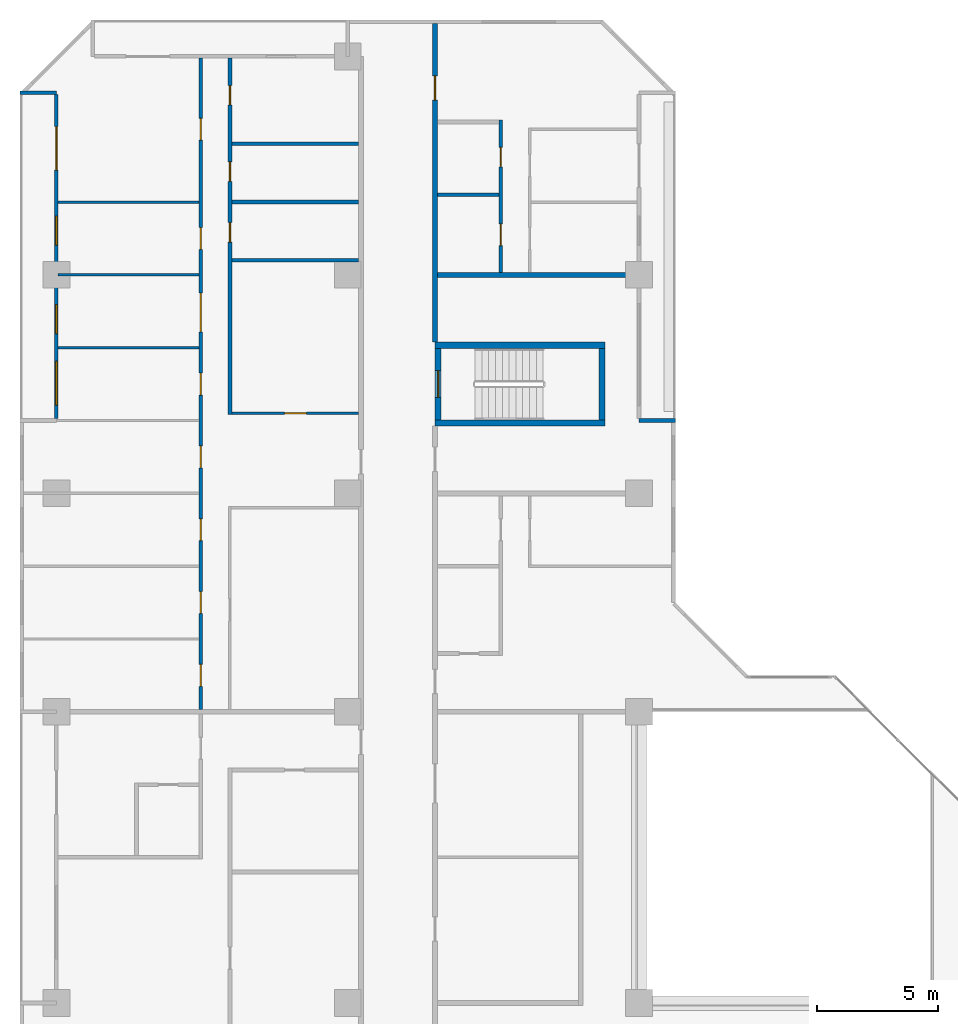
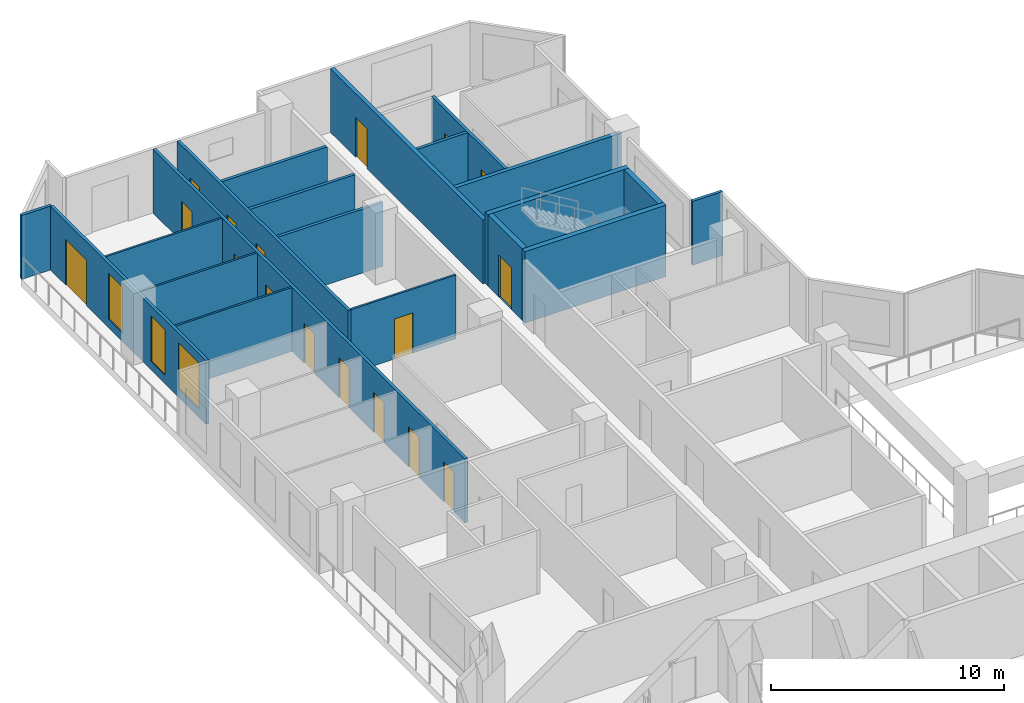
# One storey, part 10 of 15: 20 walls, 17 doors, 3 windows, 20 openings.
"""IFC4 building model written with IfcOpenShell, lengths in metres."""

from ifc_helpers import new_model, si_unit, direction, frame, frame_2d, origin, place, context, subcontext, project, spatial, rectangle, extrude, material, layer, layer_set, type_object, element, fill, save


model = new_model("IFC4")

# Units and contexts
model_context = context("Model", 3, precision=1e-05, world=origin(), true_north=direction((0.0, 1.0)))
body_context = subcontext(model_context, "Body", "Model", "MODEL_VIEW")
ifc_project = project(units=[si_unit("LENGTHUNIT", "METRE"), si_unit("AREAUNIT", "SQUARE_METRE"), si_unit("VOLUMEUNIT", "CUBIC_METRE"), si_unit("PLANEANGLEUNIT", "RADIAN"), si_unit("MASSUNIT", "GRAM", prefix="KILO")], contexts=[model_context])

# Site, building, storey
site_placement = place(None, origin())
site = spatial("IfcSite", under=ifc_project, at=site_placement, CompositionType="ELEMENT")
building_placement = place(site_placement, origin())
building = spatial("IfcBuilding", under=site, at=building_placement, Name="Chenar Terraces", CompositionType="ELEMENT")
storey_placement = place(building_placement, frame((0.0, 0.0, 67.64990234375)))
storey = spatial("IfcBuildingStorey", under=building, at=storey_placement, Name="L14", CompositionType="ELEMENT", Elevation=67.64990234375)

# Walls
ifc_material_1 = material(Name="Concrete C70/85", Category="concrete")
ifc_layer_1 = layer(ifc_material_1, 0.25)
ifc_layer_set_1 = layer_set([ifc_layer_1], Name="Concrete C70/85")
wall_type_1 = type_object("IfcWallType", Name="Core wall 250 Concrete C70/85", PredefinedType="SHEAR", material=ifc_layer_set_1)
for number, where, z_axis, x_axis, name in (
    (1, (15.60009765625, 47.89990234375, 0.0), (0.0, 0.0, 1.0), (1.0, 0.0, 0.0), "Core wall ST4_S L14"),
    (2, (15.60009765625, 51.10009765625, 0.0), (0.0, 0.0, 1.0), (1.0, 0.0, 0.0), "Core wall ST4_N L14"),
):
    element("IfcWall", number, at=place(storey_placement, frame(where, z_axis=z_axis, x_axis=x_axis)), inside=storey, type_object=wall_type_1, Name=name, PredefinedType="SHEAR", context=body_context, shape_type="SweptSolid", body=[
        extrude(rectangle(XDim=7.0, YDim=0.25, at=frame_2d((3.5, 0.0))), origin(), (0.0, 0.0, 1.0), 3.75),
    ])

# Wall, opening, door
wall_1_placement = place(storey_placement, frame((15.72509765625, 48.02490234375, 0.0), z_axis=(0.0, 0.0, 1.0), x_axis=(0.0, 1.0, 0.0)))
wall_1 = element("IfcWall", 3, at=wall_1_placement, inside=storey, type_object=wall_type_1, Name="Core wall ST4_W L14", PredefinedType="SHEAR", context=body_context, shape_type="SweptSolid", body=[
    extrude(rectangle(XDim=2.9501953125, YDim=0.25, at=frame_2d((1.47509765625, 0.0))), origin(), (0.0, 0.0, 1.0), 3.75),
])
opening_1_placement = place(wall_1_placement, frame((0.925048828125, 0.0, 0.0)))
opening_1 = element("IfcOpeningElement", 4, at=opening_1_placement, cuts=wall_1, Name="Opening DL14-C9", PredefinedType="OPENING", context=body_context, shape_type="SweptSolid", body=[
    extrude(rectangle(XDim=1.10009765625, YDim=2.199951171875, at=frame_2d((0.550048828125, 1.10009765625))), frame((0.0, 0.135009765625, 0.0), z_axis=(0.0, -1.0, 0.0), x_axis=(1.0, 0.0, 0.0)), (0.0, 0.0, 1.0), 0.27001953125),
])
ifc_material_2 = material(Name="Steel-framed fire-resisting door leaf", Category="steel")
door_type_1 = type_object("IfcDoorType", Name="Stair fire door FD60 1100 x 2200", OperationType="SINGLE_SWING_LEFT", PredefinedType="DOOR", material=ifc_material_2)
door_1_placement = place(opening_1_placement, frame((1.10009765625, 0.0, 0.0), z_axis=(0.0, 0.0, 1.0), x_axis=(-1.0, 0.0, 0.0)))
door_1 = element("IfcDoor", 5, at=door_1_placement, inside=storey, type_object=door_type_1, Name="Stair door DL14-C9", OperationType="SINGLE_SWING_RIGHT", OverallHeight=2.199951171875, OverallWidth=1.10009765625, PredefinedType="DOOR", context=body_context, shape_type="SweptSolid", body=[
    extrude(rectangle(XDim=1.10009765625, YDim=2.199951171875, at=frame_2d((0.550048828125, 1.10009765625))), frame((0.0, 0.02490234375, 0.0), z_axis=(0.0, -1.0, 0.0), x_axis=(1.0, 0.0, 0.0)), (0.0, 0.0, 1.0), 0.050048828125),
])
fill(opening_1, door_1)

# Wall
wall_2_placement = place(storey_placement, frame((22.47509765625, 48.02490234375, 0.0), z_axis=(0.0, 0.0, 1.0), x_axis=(0.0, 1.0, 0.0)))
element("IfcWall", 6, at=wall_2_placement, inside=storey, type_object=wall_type_1, Name="Core wall ST4_E L14", PredefinedType="SHEAR", context=body_context, shape_type="SweptSolid", body=[
    extrude(rectangle(XDim=2.9501953125, YDim=0.25, at=frame_2d((1.47509765625, 0.0))), origin(), (0.0, 0.0, 1.0), 3.75),
])

# Wall, opening, door
ifc_material_3 = material(Name="Gypsum board on steel studs with fire boards", Category="steel")
ifc_layer_2 = layer(ifc_material_3, 0.199951171875)
ifc_layer_set_2 = layer_set([ifc_layer_2], Name="Gypsum board on steel studs with fire boards")
wall_type_2 = type_object("IfcWallType", Name="Corridor wall 200", PredefinedType="PARTITIONING", material=ifc_layer_set_2)
wall_3_placement = place(storey_placement, frame((15.60009765625, 51.22509765625, 0.0), z_axis=(0.0, 0.0, 1.0), x_axis=(0.0, 1.0, 0.0)))
wall_3 = element("IfcWall", 7, at=wall_3_placement, inside=storey, type_object=wall_type_2, Name="Partition L14-034", PredefinedType="PARTITIONING", context=body_context, shape_type="SweptSolid", body=[
    extrude(rectangle(XDim=13.125, YDim=0.199951171875, at=frame_2d((6.5625, 0.0))), origin(), (0.0, 0.0, 1.0), 3.35009765625),
])
opening_2_placement = place(wall_3_placement, frame((9.97509765625, 0.0, 0.0)))
opening_2 = element("IfcOpeningElement", 8, at=opening_2_placement, cuts=wall_3, Name="Opening DL14-28", PredefinedType="OPENING", context=body_context, shape_type="SweptSolid", body=[
    extrude(rectangle(XDim=1.0, YDim=2.10009765625, at=frame_2d((0.5, 1.050048828125))), frame((0.0, 0.10986328125, 0.0), z_axis=(0.0, -1.0, 0.0), x_axis=(1.0, 0.0, 0.0)), (0.0, 0.0, 1.0), 0.219970703125),
])
ifc_material_4 = material(Name="Steel-framed fire-resisting door leaf", Category="steel")
door_type_2 = type_object("IfcDoorType", Name="Fire door FD30S 1000 x 2100", OperationType="SINGLE_SWING_LEFT", PredefinedType="DOOR", material=ifc_material_4)
door_2_placement = place(opening_2_placement, frame((1.0, 0.0, 0.0), z_axis=(0.0, 0.0, 1.0), x_axis=(-1.0, 0.0, 0.0)))
door_2 = element("IfcDoor", 9, at=door_2_placement, inside=storey, type_object=door_type_2, Name="Door DL14-28", OperationType="SINGLE_SWING_RIGHT", OverallHeight=2.10009765625, OverallWidth=1.0, PredefinedType="DOOR", context=body_context, shape_type="SweptSolid", body=[
    extrude(rectangle(XDim=1.0, YDim=2.10009765625, at=frame_2d((0.5, 1.050048828125))), frame((0.0, 0.02490234375, 0.0), z_axis=(0.0, -1.0, 0.0), x_axis=(1.0, 0.0, 0.0)), (0.0, 0.0, 1.0), 0.050048828125),
])
fill(opening_2, door_2)

# Wall, openings, windows, door
ifc_material_5 = material(Name="Aluminium framed glazing", Category="aluminium")
ifc_layer_3 = layer(ifc_material_5, 0.14990234375)
ifc_layer_set_3 = layer_set([ifc_layer_3], Name="Aluminium framed glazing")
wall_type_3 = type_object("IfcWallType", Name="Glazed loggia back wall 150", PredefinedType="SOLIDWALL", material=ifc_layer_set_3)
wall_4_placement = place(storey_placement, frame((0.0, 61.425048828125, 0.0), z_axis=(0.0, 0.0, 1.0), x_axis=(0.0, -1.0, 0.0)))
wall_4 = element("IfcWall", 10, at=wall_4_placement, inside=storey, type_object=wall_type_3, Name="Glazed loggia back wall", PredefinedType="SOLIDWALL", context=body_context, shape_type="SweptSolid", body=[
    extrude(rectangle(XDim=13.35009765625, YDim=0.14990234375, at=frame_2d((6.675048828125, 0.0))), origin(), (0.0, 0.0, 1.0), 3.35009765625),
])
opening_3_placement = place(wall_4_placement, frame((1.3125, 0.0, 0.0)))
opening_3 = element("IfcOpeningElement", 11, at=opening_3_placement, cuts=wall_4, Name="Opening DL14-G3", PredefinedType="OPENING", context=body_context, shape_type="SweptSolid", body=[
    extrude(rectangle(XDim=1.800048828125, YDim=2.39990234375, at=frame_2d((0.89990234375, 1.199951171875))), frame((0.0, 0.0849609375, 0.0), z_axis=(0.0, -1.0, 0.0), x_axis=(1.0, 0.0, 0.0)), (0.0, 0.0, 1.0), 0.169921875),
])
opening_4_placement = place(wall_4_placement, frame((5.0, 0.0, 0.449951171875)))
opening_4 = element("IfcOpeningElement", 12, at=opening_4_placement, cuts=wall_4, Name="Opening W120x240", PredefinedType="OPENING", context=body_context, shape_type="SweptSolid", body=[
    extrude(rectangle(XDim=1.199951171875, YDim=2.39990234375, at=frame_2d((0.60009765625, 1.199951171875))), frame((0.0, 0.0849609375, 0.0), z_axis=(0.0, -1.0, 0.0), x_axis=(1.0, 0.0, 0.0)), (0.0, 0.0, 1.0), 0.169921875),
])
opening_5_placement = place(wall_4_placement, frame((8.64990234375, 0.0, 0.449951171875)))
opening_5 = element("IfcOpeningElement", 13, at=opening_5_placement, cuts=wall_4, Name="Opening W120x240", PredefinedType="OPENING", context=body_context, shape_type="SweptSolid", body=[
    extrude(rectangle(XDim=1.199951171875, YDim=2.39990234375, at=frame_2d((0.60009765625, 1.199951171875))), frame((0.0, 0.0849609375, 0.0), z_axis=(0.0, -1.0, 0.0), x_axis=(1.0, 0.0, 0.0)), (0.0, 0.0, 1.0), 0.169921875),
])
opening_6_placement = place(wall_4_placement, frame((10.987548828125, 0.0, 0.449951171875)))
opening_6 = element("IfcOpeningElement", 14, at=opening_6_placement, cuts=wall_4, Name="Opening W180x240", PredefinedType="OPENING", context=body_context, shape_type="SweptSolid", body=[
    extrude(rectangle(XDim=1.800048828125, YDim=2.39990234375, at=frame_2d((0.89990234375, 1.199951171875))), frame((0.0, 0.0849609375, 0.0), z_axis=(0.0, -1.0, 0.0), x_axis=(1.0, 0.0, 0.0)), (0.0, 0.0, 1.0), 0.169921875),
])
ifc_material_6 = material(Name="Low emissivity double glazing, aluminium frame", Category="aluminium")
window_type_1 = type_object("IfcWindowType", Name="Fixed light 1200 x 2400", PartitioningType="SINGLE_PANEL", PredefinedType="WINDOW", material=ifc_material_6)
window_1_placement = place(opening_4_placement, origin())
window_1 = element("IfcWindow", 15, at=window_1_placement, inside=storey, type_object=window_type_1, Name="Window", OverallHeight=2.39990234375, OverallWidth=1.199951171875, PartitioningType="SINGLE_PANEL", PredefinedType="WINDOW", context=body_context, shape_type="SweptSolid", body=[
    extrude(rectangle(XDim=1.199951171875, YDim=2.39990234375, at=frame_2d((0.60009765625, 1.199951171875))), frame((0.0, 0.030029296875, 0.0), z_axis=(0.0, -1.0, 0.0), x_axis=(1.0, 0.0, 0.0)), (0.0, 0.0, 1.0), 0.06005859375),
])
fill(opening_4, window_1)
window_2_placement = place(opening_5_placement, origin())
window_2 = element("IfcWindow", 16, at=window_2_placement, inside=storey, type_object=window_type_1, Name="Window", OverallHeight=2.39990234375, OverallWidth=1.199951171875, PartitioningType="SINGLE_PANEL", PredefinedType="WINDOW", context=body_context, shape_type="SweptSolid", body=[
    extrude(rectangle(XDim=1.199951171875, YDim=2.39990234375, at=frame_2d((0.60009765625, 1.199951171875))), frame((0.0, 0.030029296875, 0.0), z_axis=(0.0, -1.0, 0.0), x_axis=(1.0, 0.0, 0.0)), (0.0, 0.0, 1.0), 0.06005859375),
])
fill(opening_5, window_2)
ifc_material_7 = material(Name="Low emissivity double glazing, aluminium frame", Category="aluminium")
window_type_2 = type_object("IfcWindowType", Name="Fixed light 1800 x 2400", PartitioningType="SINGLE_PANEL", PredefinedType="WINDOW", material=ifc_material_7)
window_3_placement = place(opening_6_placement, origin())
window_3 = element("IfcWindow", 17, at=window_3_placement, inside=storey, type_object=window_type_2, Name="Window", OverallHeight=2.39990234375, OverallWidth=1.800048828125, PartitioningType="SINGLE_PANEL", PredefinedType="WINDOW", context=body_context, shape_type="SweptSolid", body=[
    extrude(rectangle(XDim=1.800048828125, YDim=2.39990234375, at=frame_2d((0.89990234375, 1.199951171875))), frame((0.0, 0.030029296875, 0.0), z_axis=(0.0, -1.0, 0.0), x_axis=(1.0, 0.0, 0.0)), (0.0, 0.0, 1.0), 0.06005859375),
])
fill(opening_6, window_3)
ifc_material_8 = material(Name="Low emissivity double glazing, aluminium frame", Category="aluminium")
door_type_3 = type_object("IfcDoorType", Name="Loggia glazed double door 1800 x 2400", OperationType="DOUBLE_DOOR_SINGLE_SWING", PredefinedType="DOOR", material=ifc_material_8)
door_3_placement = place(opening_3_placement, frame((1.800048828125, 0.0, 0.0), z_axis=(0.0, 0.0, 1.0), x_axis=(-1.0, 0.0, 0.0)))
door_3 = element("IfcDoor", 18, at=door_3_placement, inside=storey, type_object=door_type_3, Name="Loggia glazed door", OperationType="DOUBLE_DOOR_SINGLE_SWING", OverallHeight=2.39990234375, OverallWidth=1.800048828125, PredefinedType="DOOR", context=body_context, shape_type="SweptSolid", body=[
    extrude(rectangle(XDim=1.800048828125, YDim=2.39990234375, at=frame_2d((0.89990234375, 1.199951171875))), frame((0.0, 0.02490234375, 0.0), z_axis=(0.0, -1.0, 0.0), x_axis=(1.0, 0.0, 0.0)), (0.0, 0.0, 1.0), 0.050048828125),
])
fill(opening_3, door_3)

# Walls
ifc_material_9 = material(Name="Gypsum board on steel studs", Category="steel")
ifc_layer_4 = layer(ifc_material_9, 0.10009765625)
ifc_layer_set_4 = layer_set([ifc_layer_4], Name="Gypsum board on steel studs")
wall_type_4 = type_object("IfcWallType", Name="Gypsum partition 100", PredefinedType="PARTITIONING", material=ifc_layer_set_4)
for number, where, z_axis, x_axis, name in (
    (19, (0.073974609375, 51.0, 0.0), (0.0, 0.0, 1.0), (1.0, 0.0, 0.0), "Partition L14-009"),
    (20, (0.073974609375, 54.0, 0.0), (0.0, 0.0, 1.0), (1.0, 0.0, 0.0), "Partition L14-010"),
    (21, (0.073974609375, 57.0, 0.0), (0.0, 0.0, 1.0), (1.0, 0.0, 0.0), "Partition L14-011"),
):
    element("IfcWall", number, at=place(storey_placement, frame(where, z_axis=z_axis, x_axis=x_axis)), inside=storey, type_object=wall_type_4, Name=name, PredefinedType="PARTITIONING", context=body_context, shape_type="SweptSolid", body=[
        extrude(rectangle(XDim=5.801025390625, YDim=0.10009765625, at=frame_2d((2.900390625, 0.0))), origin(), (0.0, 0.0, 1.0), 3.35009765625),
    ])

# Wall, opening, door
wall_5_placement = place(storey_placement, frame((7.22509765625, 48.300048828125, 0.0), z_axis=(0.0, 0.0, 1.0), x_axis=(1.0, 0.0, 0.0)))
wall_5 = element("IfcWall", 22, at=wall_5_placement, inside=storey, type_object=wall_type_4, Name="Partition L14-023", PredefinedType="PARTITIONING", context=body_context, shape_type="SweptSolid", body=[
    extrude(rectangle(XDim=5.224853515625, YDim=0.10009765625, at=frame_2d((2.6123046875, 0.0))), origin(), (0.0, 0.0, 1.0), 3.35009765625),
])
opening_7_placement = place(wall_5_placement, frame((2.175048828125, 0.0, 0.0)))
opening_7 = element("IfcOpeningElement", 23, at=opening_7_placement, cuts=wall_5, Name="Opening DL14-37", PredefinedType="OPENING", context=body_context, shape_type="SweptSolid", body=[
    extrude(rectangle(XDim=0.89990234375, YDim=2.10009765625, at=frame_2d((0.449951171875, 1.050048828125))), frame((0.0, 0.06005859375, 0.0), z_axis=(0.0, -1.0, 0.0), x_axis=(1.0, 0.0, 0.0)), (0.0, 0.0, 1.0), 0.1201171875),
])
ifc_material_10 = material(Name="Veneered timber door leaf", Category="wood")
door_type_4 = type_object("IfcDoorType", Name="Door 900 x 2100", OperationType="SINGLE_SWING_LEFT", PredefinedType="DOOR", material=ifc_material_10)
door_4_placement = place(opening_7_placement, origin())
door_4 = element("IfcDoor", 24, at=door_4_placement, inside=storey, type_object=door_type_4, Name="Door DL14-37", OperationType="SINGLE_SWING_RIGHT", OverallHeight=2.10009765625, OverallWidth=0.89990234375, PredefinedType="DOOR", context=body_context, shape_type="SweptSolid", body=[
    extrude(rectangle(XDim=0.89990234375, YDim=2.10009765625, at=frame_2d((0.449951171875, 1.050048828125))), frame((0.0, 0.02490234375, 0.0), z_axis=(0.0, -1.0, 0.0), x_axis=(1.0, 0.0, 0.0)), (0.0, 0.0, 1.0), 0.050048828125),
])
fill(opening_7, door_4)

# Walls
ifc_material_11 = material(Name="Terracotta cladding on insulated backing", Category="masonry")
ifc_layer_5 = layer(ifc_material_11, 0.14990234375)
ifc_layer_set_5 = layer_set([ifc_layer_5], Name="Terracotta cladding on insulated backing")
wall_type_5 = type_object("IfcWallType", Name="Loggia return wall 150", PredefinedType="SOLIDWALL", material=ifc_layer_set_5)
for number, where, z_axis, x_axis, name in (
    (25, (25.5, 48.0, 0.0), (0.0, 0.0, 1.0), (-1.0, 0.0, 0.0), "Loggia return wall"),
    (26, (-1.5, 61.5, 0.0), (0.0, 0.0, 1.0), (1.0, 0.0, 0.0), "Loggia return wall"),
):
    element("IfcWall", number, at=place(storey_placement, frame(where, z_axis=z_axis, x_axis=x_axis)), inside=storey, type_object=wall_type_5, Name=name, PredefinedType="SOLIDWALL", context=body_context, shape_type="SweptSolid", body=[
        extrude(rectangle(XDim=1.5, YDim=0.14990234375, at=frame_2d((0.75, 0.0))), origin(), (0.0, 0.0, 1.0), 3.35009765625),
    ])
ifc_material_12 = material(Name="Twin gypsum board on steel studs with mineral wool", Category="steel")
ifc_layer_6 = layer(ifc_material_12, 0.199951171875)
ifc_layer_set_6 = layer_set([ifc_layer_6], Name="Twin gypsum board on steel studs with mineral wool")
wall_type_6 = type_object("IfcWallType", Name="Unit demising wall 200", PredefinedType="PARTITIONING", material=ifc_layer_set_6)
wall_6_placement = place(storey_placement, frame((15.699951171875, 54.0, 0.0), z_axis=(0.0, 0.0, 1.0), x_axis=(1.0, 0.0, 0.0)))
element("IfcWall", 27, at=wall_6_placement, inside=storey, type_object=wall_type_6, Name="Partition L14-041", PredefinedType="PARTITIONING", context=body_context, shape_type="SweptSolid", body=[
    extrude(rectangle(XDim=8.22607421875, YDim=0.199951171875, at=frame_2d((4.113037109375, 0.0))), origin(), (0.0, 0.0, 1.0), 3.35009765625),
])

# Wall, openings, doors
ifc_material_13 = material(Name="Moisture-resistant gypsum board on steel studs", Category="steel")
ifc_layer_7 = layer(ifc_material_13, 0.14990234375)
ifc_layer_set_7 = layer_set([ifc_layer_7], Name="Moisture-resistant gypsum board on steel studs")
wall_type_7 = type_object("IfcWallType", Name="Wet-room partition 150", PredefinedType="PARTITIONING", material=ifc_layer_set_7)
wall_7_placement = place(storey_placement, frame((5.949951171875, 36.10009765625, 0.0), z_axis=(0.0, 0.0, 1.0), x_axis=(0.0, 1.0, 0.0)))
wall_7 = element("IfcWall", 28, at=wall_7_placement, inside=storey, type_object=wall_type_7, Name="Partition L14-016", PredefinedType="PARTITIONING", context=body_context, shape_type="SweptSolid", body=[
    extrude(rectangle(XDim=26.825927734375, YDim=0.14990234375, at=frame_2d((13.4130859375, 0.0))), origin(), (0.0, 0.0, 1.0), 3.35009765625),
])
opening_8_placement = place(wall_7_placement, frame((0.949951171875, 0.0, 0.0)))
opening_8 = element("IfcOpeningElement", 29, at=opening_8_placement, cuts=wall_7, Name="Opening DL14-30", PredefinedType="OPENING", context=body_context, shape_type="SweptSolid", body=[
    extrude(rectangle(XDim=0.89990234375, YDim=2.10009765625, at=frame_2d((0.449951171875, 1.050048828125))), frame((0.0, 0.0849609375, 0.0), z_axis=(0.0, -1.0, 0.0), x_axis=(1.0, 0.0, 0.0)), (0.0, 0.0, 1.0), 0.169921875),
])
opening_9_placement = place(wall_7_placement, frame((3.949951171875, 0.0, 0.0)))
opening_9 = element("IfcOpeningElement", 30, at=opening_9_placement, cuts=wall_7, Name="Opening DL14-31", PredefinedType="OPENING", context=body_context, shape_type="SweptSolid", body=[
    extrude(rectangle(XDim=0.89990234375, YDim=2.10009765625, at=frame_2d((0.449951171875, 1.050048828125))), frame((0.0, 0.0849609375, 0.0), z_axis=(0.0, -1.0, 0.0), x_axis=(1.0, 0.0, 0.0)), (0.0, 0.0, 1.0), 0.169921875),
])
opening_10_placement = place(wall_7_placement, frame((6.949951171875, 0.0, 0.0)))
opening_10 = element("IfcOpeningElement", 31, at=opening_10_placement, cuts=wall_7, Name="Opening DL14-32", PredefinedType="OPENING", context=body_context, shape_type="SweptSolid", body=[
    extrude(rectangle(XDim=0.89990234375, YDim=2.10009765625, at=frame_2d((0.449951171875, 1.050048828125))), frame((0.0, 0.0849609375, 0.0), z_axis=(0.0, -1.0, 0.0), x_axis=(1.0, 0.0, 0.0)), (0.0, 0.0, 1.0), 0.169921875),
])
opening_11_placement = place(wall_7_placement, frame((9.949951171875, 0.0, 0.0)))
opening_11 = element("IfcOpeningElement", 32, at=opening_11_placement, cuts=wall_7, Name="Opening DL14-33", PredefinedType="OPENING", context=body_context, shape_type="SweptSolid", body=[
    extrude(rectangle(XDim=0.89990234375, YDim=2.10009765625, at=frame_2d((0.449951171875, 1.050048828125))), frame((0.0, 0.0849609375, 0.0), z_axis=(0.0, -1.0, 0.0), x_axis=(1.0, 0.0, 0.0)), (0.0, 0.0, 1.0), 0.169921875),
])
opening_12_placement = place(wall_7_placement, frame((18.949951171875, 0.0, 0.0)))
opening_12 = element("IfcOpeningElement", 33, at=opening_12_placement, cuts=wall_7, Name="Opening DL14-34", PredefinedType="OPENING", context=body_context, shape_type="SweptSolid", body=[
    extrude(rectangle(XDim=0.89990234375, YDim=2.10009765625, at=frame_2d((0.449951171875, 1.050048828125))), frame((0.0, 0.0849609375, 0.0), z_axis=(0.0, -1.0, 0.0), x_axis=(1.0, 0.0, 0.0)), (0.0, 0.0, 1.0), 0.169921875),
])
opening_13_placement = place(wall_7_placement, frame((23.449951171875, 0.0, 0.0)))
opening_13 = element("IfcOpeningElement", 34, at=opening_13_placement, cuts=wall_7, Name="Opening DL14-39", PredefinedType="OPENING", context=body_context, shape_type="SweptSolid", body=[
    extrude(rectangle(XDim=0.89990234375, YDim=2.10009765625, at=frame_2d((0.449951171875, 1.050048828125))), frame((0.0, 0.0849609375, 0.0), z_axis=(0.0, -1.0, 0.0), x_axis=(1.0, 0.0, 0.0)), (0.0, 0.0, 1.0), 0.169921875),
])
opening_14_placement = place(wall_7_placement, frame((15.550048828125, 0.0, 0.0)))
opening_14 = element("IfcOpeningElement", 35, at=opening_14_placement, cuts=wall_7, Name="Opening DL14-40", PredefinedType="OPENING", context=body_context, shape_type="SweptSolid", body=[
    extrude(rectangle(XDim=1.60009765625, YDim=2.10009765625, at=frame_2d((0.800048828125, 1.050048828125))), frame((0.0, 0.0849609375, 0.0), z_axis=(0.0, -1.0, 0.0), x_axis=(1.0, 0.0, 0.0)), (0.0, 0.0, 1.0), 0.169921875),
])
opening_15_placement = place(wall_7_placement, frame((12.949951171875, 0.0, 0.0)))
opening_15 = element("IfcOpeningElement", 36, at=opening_15_placement, cuts=wall_7, Name="Opening DL14-41", PredefinedType="OPENING", context=body_context, shape_type="SweptSolid", body=[
    extrude(rectangle(XDim=0.89990234375, YDim=2.10009765625, at=frame_2d((0.449951171875, 1.050048828125))), frame((0.0, 0.0849609375, 0.0), z_axis=(0.0, -1.0, 0.0), x_axis=(1.0, 0.0, 0.0)), (0.0, 0.0, 1.0), 0.169921875),
])
door_5_placement = place(opening_8_placement, origin())
door_5 = element("IfcDoor", 37, at=door_5_placement, inside=storey, type_object=door_type_4, Name="Door DL14-30", OperationType="SINGLE_SWING_RIGHT", OverallHeight=2.10009765625, OverallWidth=0.89990234375, PredefinedType="DOOR", context=body_context, shape_type="SweptSolid", body=[
    extrude(rectangle(XDim=0.89990234375, YDim=2.10009765625, at=frame_2d((0.449951171875, 1.050048828125))), frame((0.0, 0.02490234375, 0.0), z_axis=(0.0, -1.0, 0.0), x_axis=(1.0, 0.0, 0.0)), (0.0, 0.0, 1.0), 0.050048828125),
])
fill(opening_8, door_5)
door_6_placement = place(opening_9_placement, origin())
door_6 = element("IfcDoor", 38, at=door_6_placement, inside=storey, type_object=door_type_4, Name="Door DL14-31", OperationType="SINGLE_SWING_RIGHT", OverallHeight=2.10009765625, OverallWidth=0.89990234375, PredefinedType="DOOR", context=body_context, shape_type="SweptSolid", body=[
    extrude(rectangle(XDim=0.89990234375, YDim=2.10009765625, at=frame_2d((0.449951171875, 1.050048828125))), frame((0.0, 0.02490234375, 0.0), z_axis=(0.0, -1.0, 0.0), x_axis=(1.0, 0.0, 0.0)), (0.0, 0.0, 1.0), 0.050048828125),
])
fill(opening_9, door_6)
door_7_placement = place(opening_10_placement, origin())
door_7 = element("IfcDoor", 39, at=door_7_placement, inside=storey, type_object=door_type_4, Name="Door DL14-32", OperationType="SINGLE_SWING_RIGHT", OverallHeight=2.10009765625, OverallWidth=0.89990234375, PredefinedType="DOOR", context=body_context, shape_type="SweptSolid", body=[
    extrude(rectangle(XDim=0.89990234375, YDim=2.10009765625, at=frame_2d((0.449951171875, 1.050048828125))), frame((0.0, 0.02490234375, 0.0), z_axis=(0.0, -1.0, 0.0), x_axis=(1.0, 0.0, 0.0)), (0.0, 0.0, 1.0), 0.050048828125),
])
fill(opening_10, door_7)
door_8_placement = place(opening_11_placement, origin())
door_8 = element("IfcDoor", 40, at=door_8_placement, inside=storey, type_object=door_type_4, Name="Door DL14-33", OperationType="SINGLE_SWING_RIGHT", OverallHeight=2.10009765625, OverallWidth=0.89990234375, PredefinedType="DOOR", context=body_context, shape_type="SweptSolid", body=[
    extrude(rectangle(XDim=0.89990234375, YDim=2.10009765625, at=frame_2d((0.449951171875, 1.050048828125))), frame((0.0, 0.02490234375, 0.0), z_axis=(0.0, -1.0, 0.0), x_axis=(1.0, 0.0, 0.0)), (0.0, 0.0, 1.0), 0.050048828125),
])
fill(opening_11, door_8)
door_9_placement = place(opening_12_placement, origin())
door_9 = element("IfcDoor", 41, at=door_9_placement, inside=storey, type_object=door_type_4, Name="Door DL14-34", OperationType="SINGLE_SWING_RIGHT", OverallHeight=2.10009765625, OverallWidth=0.89990234375, PredefinedType="DOOR", context=body_context, shape_type="SweptSolid", body=[
    extrude(rectangle(XDim=0.89990234375, YDim=2.10009765625, at=frame_2d((0.449951171875, 1.050048828125))), frame((0.0, 0.02490234375, 0.0), z_axis=(0.0, -1.0, 0.0), x_axis=(1.0, 0.0, 0.0)), (0.0, 0.0, 1.0), 0.050048828125),
])
fill(opening_12, door_9)
door_10_placement = place(opening_13_placement, origin())
door_10 = element("IfcDoor", 42, at=door_10_placement, inside=storey, type_object=door_type_4, Name="Door DL14-39", OperationType="SINGLE_SWING_RIGHT", OverallHeight=2.10009765625, OverallWidth=0.89990234375, PredefinedType="DOOR", context=body_context, shape_type="SweptSolid", body=[
    extrude(rectangle(XDim=0.89990234375, YDim=2.10009765625, at=frame_2d((0.449951171875, 1.050048828125))), frame((0.0, 0.02490234375, 0.0), z_axis=(0.0, -1.0, 0.0), x_axis=(1.0, 0.0, 0.0)), (0.0, 0.0, 1.0), 0.050048828125),
])
fill(opening_13, door_10)
door_11_placement = place(opening_15_placement, origin())
door_11 = element("IfcDoor", 43, at=door_11_placement, inside=storey, type_object=door_type_4, Name="Door DL14-41", OperationType="SINGLE_SWING_RIGHT", OverallHeight=2.10009765625, OverallWidth=0.89990234375, PredefinedType="DOOR", context=body_context, shape_type="SweptSolid", body=[
    extrude(rectangle(XDim=0.89990234375, YDim=2.10009765625, at=frame_2d((0.449951171875, 1.050048828125))), frame((0.0, 0.02490234375, 0.0), z_axis=(0.0, -1.0, 0.0), x_axis=(1.0, 0.0, 0.0)), (0.0, 0.0, 1.0), 0.050048828125),
])
fill(opening_15, door_11)
ifc_material_14 = material(Name="Veneered timber door leaf", Category="wood")
door_type_5 = type_object("IfcDoorType", Name="Double door 1600 x 2100", OperationType="DOUBLE_DOOR_SINGLE_SWING", PredefinedType="DOOR", material=ifc_material_14)
door_12_placement = place(opening_14_placement, origin())
door_12 = element("IfcDoor", 44, at=door_12_placement, inside=storey, type_object=door_type_5, Name="Door DL14-40", OperationType="DOUBLE_DOOR_SINGLE_SWING", OverallHeight=2.10009765625, OverallWidth=1.60009765625, PredefinedType="DOOR", context=body_context, shape_type="SweptSolid", body=[
    extrude(rectangle(XDim=1.60009765625, YDim=2.10009765625, at=frame_2d((0.800048828125, 1.050048828125))), frame((0.0, 0.02490234375, 0.0), z_axis=(0.0, -1.0, 0.0), x_axis=(1.0, 0.0, 0.0)), (0.0, 0.0, 1.0), 0.050048828125),
])
fill(opening_14, door_12)

wall_8_placement = place(storey_placement, frame((7.14990234375, 48.25, 0.0), z_axis=(0.0, 0.0, 1.0), x_axis=(0.0, 1.0, 0.0)))
wall_8 = element("IfcWall", 45, at=wall_8_placement, inside=storey, type_object=wall_type_7, Name="Partition L14-019", PredefinedType="PARTITIONING", context=body_context, shape_type="SweptSolid", body=[
    extrude(rectangle(XDim=14.676025390625, YDim=0.14990234375, at=frame_2d((7.337890625, 0.0))), origin(), (0.0, 0.0, 1.0), 3.35009765625),
])
opening_16_placement = place(wall_8_placement, frame((9.60009765625, 0.0, 0.0)))
opening_16 = element("IfcOpeningElement", 46, at=opening_16_placement, cuts=wall_8, Name="Opening DL14-29", PredefinedType="OPENING", context=body_context, shape_type="SweptSolid", body=[
    extrude(rectangle(XDim=0.800048828125, YDim=2.10009765625, at=frame_2d((0.39990234375, 1.050048828125))), frame((0.0, 0.0849609375, 0.0), z_axis=(0.0, -1.0, 0.0), x_axis=(1.0, 0.0, 0.0)), (0.0, 0.0, 1.0), 0.169921875),
])
opening_17_placement = place(wall_8_placement, frame((12.75, 0.0, 0.0)))
opening_17 = element("IfcOpeningElement", 47, at=opening_17_placement, cuts=wall_8, Name="Opening DL14-38", PredefinedType="OPENING", context=body_context, shape_type="SweptSolid", body=[
    extrude(rectangle(XDim=0.800048828125, YDim=2.10009765625, at=frame_2d((0.39990234375, 1.050048828125))), frame((0.0, 0.0849609375, 0.0), z_axis=(0.0, -1.0, 0.0), x_axis=(1.0, 0.0, 0.0)), (0.0, 0.0, 1.0), 0.169921875),
])
opening_18_placement = place(wall_8_placement, frame((7.10009765625, 0.0, 0.0)))
opening_18 = element("IfcOpeningElement", 48, at=opening_18_placement, cuts=wall_8, Name="Opening DL14-42", PredefinedType="OPENING", context=body_context, shape_type="SweptSolid", body=[
    extrude(rectangle(XDim=0.800048828125, YDim=2.10009765625, at=frame_2d((0.39990234375, 1.050048828125))), frame((0.0, 0.0849609375, 0.0), z_axis=(0.0, -1.0, 0.0), x_axis=(1.0, 0.0, 0.0)), (0.0, 0.0, 1.0), 0.169921875),
])
ifc_material_15 = material(Name="Veneered timber door leaf", Category="wood")
door_type_6 = type_object("IfcDoorType", Name="Door 800 x 2100", OperationType="SINGLE_SWING_LEFT", PredefinedType="DOOR", material=ifc_material_15)
door_13_placement = place(opening_16_placement, frame((0.800048828125, 0.0, 0.0), z_axis=(0.0, 0.0, 1.0), x_axis=(-1.0, 0.0, 0.0)))
door_13 = element("IfcDoor", 49, at=door_13_placement, inside=storey, type_object=door_type_6, Name="Door DL14-29", OperationType="SINGLE_SWING_LEFT", OverallHeight=2.10009765625, OverallWidth=0.800048828125, PredefinedType="DOOR", context=body_context, shape_type="SweptSolid", body=[
    extrude(rectangle(XDim=0.800048828125, YDim=2.10009765625, at=frame_2d((0.39990234375, 1.050048828125))), frame((0.0, 0.02490234375, 0.0), z_axis=(0.0, -1.0, 0.0), x_axis=(1.0, 0.0, 0.0)), (0.0, 0.0, 1.0), 0.050048828125),
])
fill(opening_16, door_13)
door_14_placement = place(opening_17_placement, frame((0.800048828125, 0.0, 0.0), z_axis=(0.0, 0.0, 1.0), x_axis=(-1.0, 0.0, 0.0)))
door_14 = element("IfcDoor", 50, at=door_14_placement, inside=storey, type_object=door_type_6, Name="Door DL14-38", OperationType="SINGLE_SWING_LEFT", OverallHeight=2.10009765625, OverallWidth=0.800048828125, PredefinedType="DOOR", context=body_context, shape_type="SweptSolid", body=[
    extrude(rectangle(XDim=0.800048828125, YDim=2.10009765625, at=frame_2d((0.39990234375, 1.050048828125))), frame((0.0, 0.02490234375, 0.0), z_axis=(0.0, -1.0, 0.0), x_axis=(1.0, 0.0, 0.0)), (0.0, 0.0, 1.0), 0.050048828125),
])
fill(opening_17, door_14)
door_15_placement = place(opening_18_placement, frame((0.800048828125, 0.0, 0.0), z_axis=(0.0, 0.0, 1.0), x_axis=(-1.0, 0.0, 0.0)))
door_15 = element("IfcDoor", 51, at=door_15_placement, inside=storey, type_object=door_type_6, Name="Door DL14-42", OperationType="SINGLE_SWING_RIGHT", OverallHeight=2.10009765625, OverallWidth=0.800048828125, PredefinedType="DOOR", context=body_context, shape_type="SweptSolid", body=[
    extrude(rectangle(XDim=0.800048828125, YDim=2.10009765625, at=frame_2d((0.39990234375, 1.050048828125))), frame((0.0, 0.02490234375, 0.0), z_axis=(0.0, -1.0, 0.0), x_axis=(1.0, 0.0, 0.0)), (0.0, 0.0, 1.0), 0.050048828125),
])
fill(opening_18, door_15)

# Walls
for number, where, z_axis, x_axis, name in (
    (52, (7.22509765625, 54.60009765625, 0.0), (0.0, 0.0, 1.0), (1.0, 0.0, 0.0), "Partition L14-024"),
    (53, (7.22509765625, 57.0, 0.0), (0.0, 0.0, 1.0), (1.0, 0.0, 0.0), "Partition L14-025"),
    (54, (7.22509765625, 59.39990234375, 0.0), (0.0, 0.0, 1.0), (1.0, 0.0, 0.0), "Partition L14-026"),
):
    element("IfcWall", number, at=place(storey_placement, frame(where, z_axis=z_axis, x_axis=x_axis)), inside=storey, type_object=wall_type_7, Name=name, PredefinedType="PARTITIONING", context=body_context, shape_type="SweptSolid", body=[
        extrude(rectangle(XDim=5.224853515625, YDim=0.14990234375, at=frame_2d((2.6123046875, 0.0))), origin(), (0.0, 0.0, 1.0), 3.35009765625),
    ])
wall_9_placement = place(storey_placement, frame((15.699951171875, 57.300048828125, 0.0), z_axis=(0.0, 0.0, 1.0), x_axis=(1.0, 0.0, 0.0)))
element("IfcWall", 55, at=wall_9_placement, inside=storey, type_object=wall_type_7, Name="Partition L14-042", PredefinedType="PARTITIONING", context=body_context, shape_type="SweptSolid", body=[
    extrude(rectangle(XDim=2.525146484375, YDim=0.14990234375, at=frame_2d((1.2626953125, 0.0))), origin(), (0.0, 0.0, 1.0), 3.35009765625),
])

# Wall, openings, doors
wall_10_placement = place(storey_placement, frame((18.300048828125, 54.10009765625, 0.0), z_axis=(0.0, 0.0, 1.0), x_axis=(0.0, 1.0, 0.0)))
wall_10 = element("IfcWall", 56, at=wall_10_placement, inside=storey, type_object=wall_type_7, Name="Partition L14-046", PredefinedType="PARTITIONING", context=body_context, shape_type="SweptSolid", body=[
    extrude(rectangle(XDim=6.27490234375, YDim=0.14990234375, at=frame_2d((3.137451171875, 0.0))), origin(), (0.0, 0.0, 1.0), 3.35009765625),
])
opening_19_placement = place(wall_10_placement, frame((4.35009765625, 0.0, 0.0)))
opening_19 = element("IfcOpeningElement", 57, at=opening_19_placement, cuts=wall_10, Name="Opening DL14-24", PredefinedType="OPENING", context=body_context, shape_type="SweptSolid", body=[
    extrude(rectangle(XDim=0.800048828125, YDim=2.10009765625, at=frame_2d((0.39990234375, 1.050048828125))), frame((0.0, 0.0849609375, 0.0), z_axis=(0.0, -1.0, 0.0), x_axis=(1.0, 0.0, 0.0)), (0.0, 0.0, 1.0), 0.169921875),
])
opening_20_placement = place(wall_10_placement, frame((1.10009765625, 0.0, 0.0)))
opening_20 = element("IfcOpeningElement", 58, at=opening_20_placement, cuts=wall_10, Name="Opening DL14-27", PredefinedType="OPENING", context=body_context, shape_type="SweptSolid", body=[
    extrude(rectangle(XDim=0.89990234375, YDim=2.10009765625, at=frame_2d((0.449951171875, 1.050048828125))), frame((0.0, 0.0849609375, 0.0), z_axis=(0.0, -1.0, 0.0), x_axis=(1.0, 0.0, 0.0)), (0.0, 0.0, 1.0), 0.169921875),
])
door_16_placement = place(opening_19_placement, origin())
door_16 = element("IfcDoor", 59, at=door_16_placement, inside=storey, type_object=door_type_6, Name="Door DL14-24", OperationType="SINGLE_SWING_RIGHT", OverallHeight=2.10009765625, OverallWidth=0.800048828125, PredefinedType="DOOR", context=body_context, shape_type="SweptSolid", body=[
    extrude(rectangle(XDim=0.800048828125, YDim=2.10009765625, at=frame_2d((0.39990234375, 1.050048828125))), frame((0.0, 0.02490234375, 0.0), z_axis=(0.0, -1.0, 0.0), x_axis=(1.0, 0.0, 0.0)), (0.0, 0.0, 1.0), 0.050048828125),
])
fill(opening_19, door_16)
door_17_placement = place(opening_20_placement, origin())
door_17 = element("IfcDoor", 60, at=door_17_placement, inside=storey, type_object=door_type_4, Name="Door DL14-27", OperationType="SINGLE_SWING_LEFT", OverallHeight=2.10009765625, OverallWidth=0.89990234375, PredefinedType="DOOR", context=body_context, shape_type="SweptSolid", body=[
    extrude(rectangle(XDim=0.89990234375, YDim=2.10009765625, at=frame_2d((0.449951171875, 1.050048828125))), frame((0.0, 0.02490234375, 0.0), z_axis=(0.0, -1.0, 0.0), x_axis=(1.0, 0.0, 0.0)), (0.0, 0.0, 1.0), 0.050048828125),
])
fill(opening_20, door_17)

save(model, "model.ifc")
